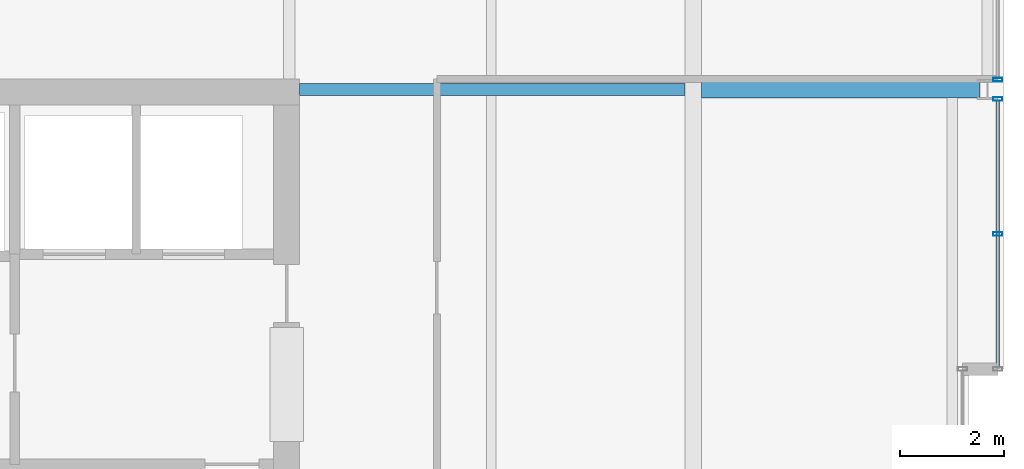
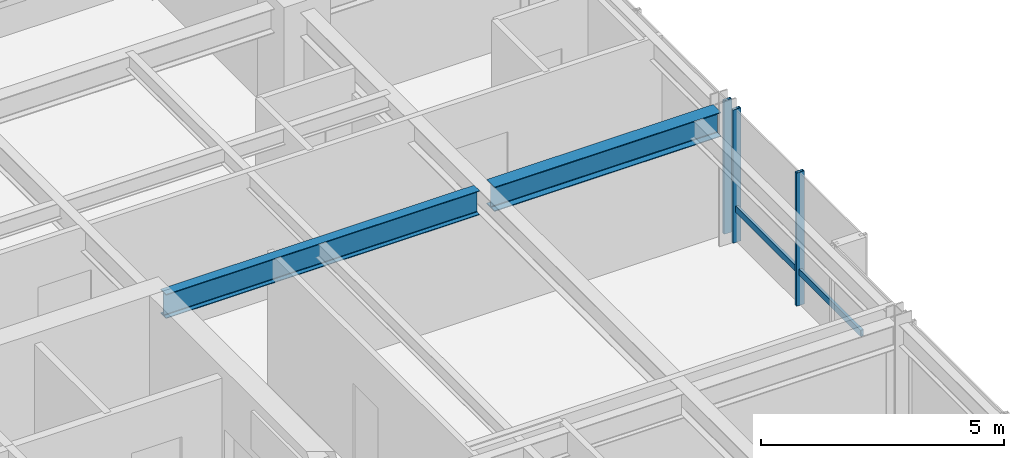
# One storey, part 21 of 30: 4 members, 2 beams, 2 elements without a shape of their own.
"""IFC4 building model written with IfcOpenShell, lengths in metres."""

from ifc_helpers import new_model, si_unit, direction, frame, origin, origin_2d, place, context, subcontext, project, spatial, hollow_rectangle, i_section, extrude, material, layer, layer_set, material_profile, profile_set, type_object, element, aggregate, save


model = new_model("IFC4")

# Units and contexts
model_context = context("Model", 3, precision=1e-05, world=origin(), true_north=direction((0.0, 1.0)))
body_context = subcontext(model_context, "Body", "Model", "MODEL_VIEW")
ifc_project = project(units=[si_unit("LENGTHUNIT", "METRE"), si_unit("AREAUNIT", "SQUARE_METRE"), si_unit("VOLUMEUNIT", "CUBIC_METRE"), si_unit("PLANEANGLEUNIT", "RADIAN"), si_unit("MASSUNIT", "GRAM", prefix="KILO")], contexts=[model_context])

# Site, building, storey
site_placement = place(None, origin())
site = spatial("IfcSite", under=ifc_project, at=site_placement, CompositionType="ELEMENT")
building_placement = place(site_placement, origin())
building = spatial("IfcBuilding", under=site, at=building_placement, Name="Drelvath Grand Hotel", CompositionType="ELEMENT")
storey_placement = place(building_placement, frame((0.0, 0.0, 215.89990234375)))
storey = spatial("IfcBuildingStorey", under=building, at=storey_placement, Name="L56", CompositionType="ELEMENT", Elevation=215.89990234375)

# Curtain wall, members
ifc_material_1 = material(Name="Platinum-Mist Anodised Aluminium Frame", Category="aluminium")
ifc_layer = layer(ifc_material_1, 0.199951171875)
ifc_layer_set = layer_set([ifc_layer], Name="Platinum-Mist Anodised Aluminium Frame")
curtain_wall_type = type_object("IfcCurtainWallType", Name="Stick Curtain Wall CW-05 Platinum Mist High-Rise", PredefinedType="NOTDEFINED", material=ifc_layer_set)
curtain_wall_1_placement = place(storey_placement, origin())
curtain_wall_1 = element("IfcCurtainWall", 1, at=curtain_wall_1_placement, inside=storey, type_object=curtain_wall_type, Name="L56 CW-05 Curtain Wall CW05-L56-EN1", PredefinedType="NOTDEFINED")
ifc_material_profile_1 = material_profile(ifc_material_1, hollow_rectangle(XDim=0.06494140625, YDim=0.159912109375, WallThickness=0.00390625, at=origin_2d()), Name="HSS160X65X4")
ifc_profile_set_1 = profile_set([ifc_material_profile_1], Name="Platinum-Mist Anodised Aluminium Frame")
member_type_1 = type_object("IfcMemberType", Name="Curtain Wall Horizontal Transom CW-05 HSS160X65X4", PredefinedType="USERDEFINED", material=ifc_profile_set_1)
member_1_placement = place(storey_placement, frame((22.080078125, 35.1748046875, 0.835205078125), z_axis=(0.0, -1.0, 0.0), x_axis=(1.0, 0.0, 0.0)))
member_1 = element("IfcMember", 2, at=member_1_placement, type_object=member_type_1, Name="CW05-L56-EN1 Sill Transom", ObjectType="TRANSOM", PredefinedType="USERDEFINED", context=body_context, shape_type="SweptSolid", body=[
    extrude(hollow_rectangle(XDim=0.06494140625, YDim=0.159912109375, WallThickness=0.00390625, at=origin_2d()), origin(), (0.0, 0.0, 1.0), 5.134765625),
])
ifc_material_profile_2 = material_profile(ifc_material_1, hollow_rectangle(XDim=0.074951171875, YDim=0.179931640625, WallThickness=0.0048828125, at=origin_2d()), Name="HSS180X75X5")
ifc_profile_set_2 = profile_set([ifc_material_profile_2], Name="Platinum-Mist Anodised Aluminium Frame")
member_type_2 = type_object("IfcMemberType", Name="Curtain Wall Vertical Mullion CW-05 HSS180X75X5", PredefinedType="MULLION", material=ifc_profile_set_2)
member_2_placement = place(storey_placement, frame((22.080078125, 35.214599609375, 0.0), z_axis=(0.0, 0.0, 1.0), x_axis=(0.0, 1.0, 0.0)))
member_2 = element("IfcMember", 3, at=member_2_placement, type_object=member_type_2, Name="CW05-L56-EN1 Mullion 1", PredefinedType="MULLION", context=body_context, shape_type="SweptSolid", body=[
    extrude(hollow_rectangle(XDim=0.074951171875, YDim=0.179931640625, WallThickness=0.0048828125, at=origin_2d()), origin(), (0.0, 0.0, 1.0), 3.340087890625),
])
member_3_placement = place(storey_placement, frame((22.080078125, 32.607421875, 0.0), z_axis=(0.0, 0.0, 1.0), x_axis=(0.0, 1.0, 0.0)))
member_3 = element("IfcMember", 4, at=member_3_placement, type_object=member_type_2, Name="CW05-L56-EN1 Mullion 2", PredefinedType="MULLION", context=body_context, shape_type="SweptSolid", body=[
    extrude(hollow_rectangle(XDim=0.074951171875, YDim=0.179931640625, WallThickness=0.0048828125, at=origin_2d()), origin(), (0.0, 0.0, 1.0), 3.340087890625),
])
aggregate(curtain_wall_1, [member_2, member_3, member_1])

# Curtain wall, member
curtain_wall_2_placement = place(storey_placement, origin())
curtain_wall_2 = element("IfcCurtainWall", 5, at=curtain_wall_2_placement, inside=storey, type_object=curtain_wall_type, Name="L56 CW-05 Curtain Wall CW05-L56-EN2", PredefinedType="NOTDEFINED")
member_4_placement = place(storey_placement, frame((22.080078125, 35.585205078125, 0.0), z_axis=(0.0, 0.0, 1.0), x_axis=(0.0, 1.0, 0.0)))
member_4 = element("IfcMember", 6, at=member_4_placement, type_object=member_type_2, Name="CW05-L56-EN2 Mullion 3", PredefinedType="MULLION", context=body_context, shape_type="SweptSolid", body=[
    extrude(hollow_rectangle(XDim=0.074951171875, YDim=0.179931640625, WallThickness=0.0048828125, at=origin_2d()), origin(), (0.0, 0.0, 1.0), 3.340087890625),
])
aggregate(curtain_wall_2, [member_4])

# Beams
ifc_material_2 = material(Name="Steel ASTM A992 Gr 50", Category="steel")
ifc_material_profile_3 = material_profile(ifc_material_2, i_section(OverallWidth=0.323974609375, OverallDepth=0.611083984375, WebThickness=0.0126953125, FlangeThickness=0.01904296875, FilletRadius=0.02197265625, at=origin_2d()), Name="W24X104")
ifc_profile_set_3 = profile_set([ifc_material_profile_3], Name="Steel ASTM A992 Gr 50")
beam_type_1 = type_object("IfcBeamType", Name="Primary Floor Girder W24X104", PredefinedType="BEAM", material=ifc_profile_set_3)
beam_1_placement = place(storey_placement, frame((16.362060546875, 35.39990234375, 3.034423828125), z_axis=(1.0, 0.0, 0.0), x_axis=(0.0, 1.0, 0.0)))
element("IfcBeam", 7, at=beam_1_placement, inside=storey, type_object=beam_type_1, Name="L56 East Wing Girder F", PredefinedType="BEAM", context=body_context, shape_type="SweptSolid", body=[
    extrude(i_section(OverallWidth=0.323974609375, OverallDepth=0.611083984375, WebThickness=0.0126953125, FlangeThickness=0.01904296875, FilletRadius=0.02197265625, at=origin_2d()), origin(), (0.0, 0.0, 1.0), 5.3779296875),
])
ifc_material_profile_4 = material_profile(ifc_material_2, i_section(OverallWidth=0.228271484375, OverallDepth=0.607666015625, WebThickness=0.01123046875, FlangeThickness=0.017333984375, FilletRadius=0.02001953125, at=origin_2d()), Name="W24X76")
ifc_profile_set_4 = profile_set([ifc_material_profile_4], Name="Steel ASTM A992 Gr 50")
beam_type_2 = type_object("IfcBeamType", Name="Primary Floor Girder W24X76", PredefinedType="BEAM", material=ifc_profile_set_4)
beam_2_placement = place(storey_placement, frame((8.60009765625, 35.39990234375, 3.036376953125), z_axis=(1.0, 0.0, 0.0), x_axis=(0.0, 1.0, 0.0)))
element("IfcBeam", 8, at=beam_2_placement, inside=storey, type_object=beam_type_2, Name="L56 East Core Tie F", PredefinedType="BEAM", context=body_context, shape_type="SweptSolid", body=[
    extrude(i_section(OverallWidth=0.228271484375, OverallDepth=0.607666015625, WebThickness=0.01123046875, FlangeThickness=0.017333984375, FilletRadius=0.02001953125, at=origin_2d()), origin(), (0.0, 0.0, 1.0), 7.43798828125),
])

save(model, "model.ifc")
